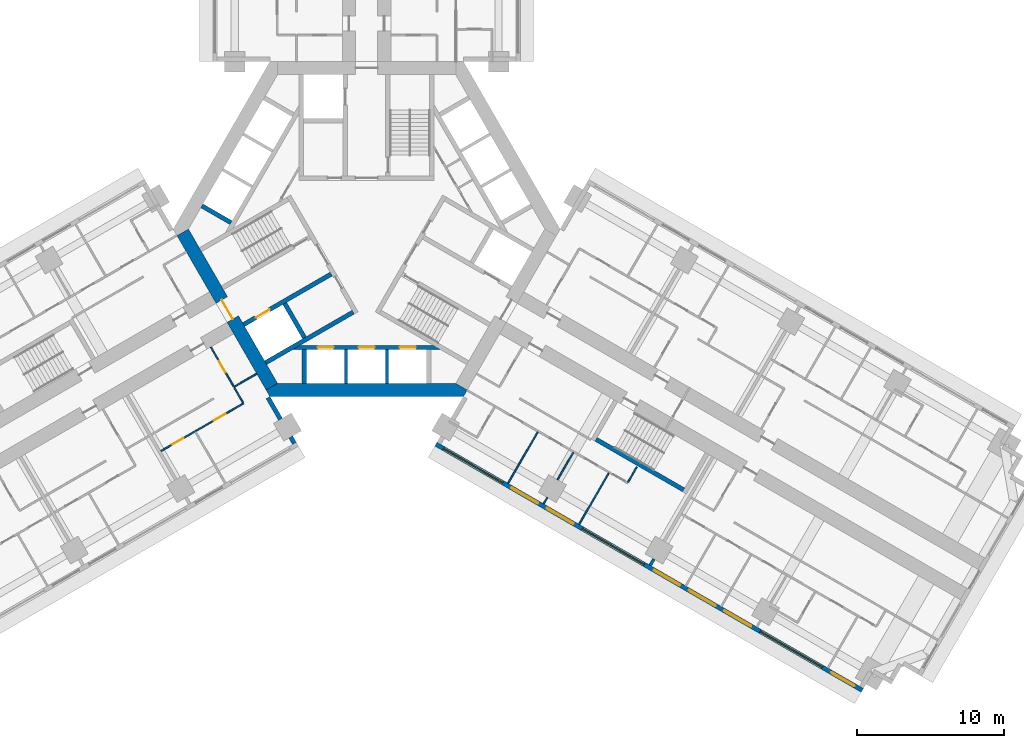
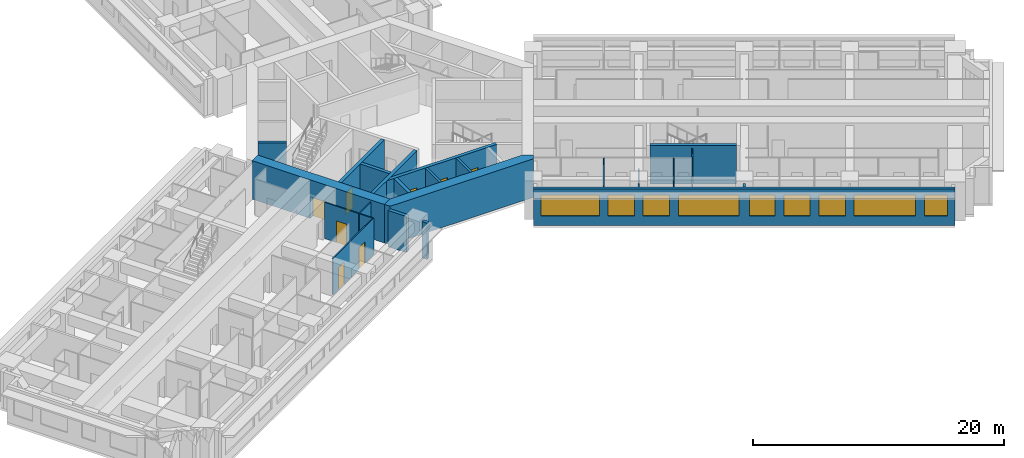
# One storey, part 6 of 15: 24 walls, 9 windows, 8 doors, 17 openings.
"""IFC4 building model written with IfcOpenShell, lengths in metres."""

from ifc_helpers import new_model, si_unit, direction, frame, frame_2d, origin, place, context, subcontext, project, spatial, polyline, rectangle, outline, extrude, material, layer, layer_set, type_object, element, fill, save


model = new_model("IFC4")

# Units and contexts
model_context = context("Model", 3, precision=1e-05, world=origin(), true_north=direction((0.0, 1.0)))
body_context = subcontext(model_context, "Body", "Model", "MODEL_VIEW")
ifc_project = project(units=[si_unit("LENGTHUNIT", "METRE"), si_unit("AREAUNIT", "SQUARE_METRE"), si_unit("VOLUMEUNIT", "CUBIC_METRE"), si_unit("PLANEANGLEUNIT", "RADIAN"), si_unit("MASSUNIT", "GRAM", prefix="KILO")], contexts=[model_context])

# Site, building, storey
site_placement = place(None, origin())
site = spatial("IfcSite", under=ifc_project, at=site_placement, CompositionType="ELEMENT")
building_placement = place(site_placement, origin())
building = spatial("IfcBuilding", under=site, at=building_placement, Name="Impinga Residences", CompositionType="ELEMENT")
storey_placement = place(building_placement, frame((0.0, 0.0, 86.0)))
storey = spatial("IfcBuildingStorey", under=building, at=storey_placement, Name="L21", CompositionType="ELEMENT", Elevation=86.0)

# Wall, openings, windows
ifc_material_1 = material(Name="Terracotta rainscreen on blockwork", Category="masonry")
ifc_layer_1 = layer(ifc_material_1, 0.300048828125)
ifc_layer_set_1 = layer_set([ifc_layer_1], Name="EW1 external wall, terracotta rainscreen on blockwork 300")
wall_type_1 = type_object("IfcWallType", Name="EW1 external wall, terracotta rainscreen on blockwork 300", PredefinedType="SOLIDWALL", material=ifc_layer_set_1)
wall_1_placement = place(storey_placement, frame((33.823486328125, -31.479248046875, 0.0), z_axis=(0.0, 0.0, 1.0), x_axis=(-0.866024291668, 0.500001926238, 0.0)))
wall_1 = element("IfcWall", 1, at=wall_1_placement, inside=storey, type_object=wall_type_1, Name="External wall EW1 L21", PredefinedType="SOLIDWALL", context=body_context, shape_type="SweptSolid", body=[
    extrude(rectangle(XDim=33.599853515625, YDim=0.300048828125, at=frame_2d((16.7998046875, 0.0))), origin(), (0.0, 0.0, 1.0), 3.530029296875),
])
opening_1_placement = place(wall_1_placement, frame((0.60009765625, 0.0, 0.89990234375)))
opening_1 = element("IfcOpeningElement", 2, at=opening_1_placement, cuts=wall_1, Name="Opening W15", PredefinedType="OPENING", context=body_context, shape_type="SweptSolid", body=[
    extrude(rectangle(XDim=1.85009765625, YDim=2.050048828125, at=frame_2d((0.925048828125, 1.02490234375))), frame((0.0, 0.159912109375, 0.0), z_axis=(0.0, -1.0, 0.0), x_axis=(1.0, 0.0, 0.0)), (0.0, 0.0, 1.0), 0.320068359375),
])
opening_2_placement = place(wall_1_placement, frame((3.14990234375, 0.0, 0.89990234375)))
opening_2 = element("IfcOpeningElement", 3, at=opening_2_placement, cuts=wall_1, Name="Opening W16", PredefinedType="OPENING", context=body_context, shape_type="SweptSolid", body=[
    extrude(rectangle(XDim=4.89990234375, YDim=2.050048828125, at=frame_2d((2.449951171875, 1.02490234375))), frame((0.0, 0.159912109375, 0.0), z_axis=(0.0, -1.0, 0.0), x_axis=(1.0, 0.0, 0.0)), (0.0, 0.0, 1.0), 0.320068359375),
])
opening_3_placement = place(wall_1_placement, frame((8.75, 0.0, 0.89990234375)))
opening_3 = element("IfcOpeningElement", 4, at=opening_3_placement, cuts=wall_1, Name="Opening W9", PredefinedType="OPENING", context=body_context, shape_type="SweptSolid", body=[
    extrude(rectangle(XDim=2.10009765625, YDim=2.050048828125, at=frame_2d((1.050048828125, 1.02490234375))), frame((0.0, 0.159912109375, 0.0), z_axis=(0.0, -1.0, 0.0), x_axis=(1.0, 0.0, 0.0)), (0.0, 0.0, 1.0), 0.320068359375),
])
opening_4_placement = place(wall_1_placement, frame((11.550048828125, 0.0, 0.89990234375)))
opening_4 = element("IfcOpeningElement", 5, at=opening_4_placement, cuts=wall_1, Name="Opening W9", PredefinedType="OPENING", context=body_context, shape_type="SweptSolid", body=[
    extrude(rectangle(XDim=2.10009765625, YDim=2.050048828125, at=frame_2d((1.050048828125, 1.02490234375))), frame((0.0, 0.159912109375, 0.0), z_axis=(0.0, -1.0, 0.0), x_axis=(1.0, 0.0, 0.0)), (0.0, 0.0, 1.0), 0.320068359375),
])
opening_5_placement = place(wall_1_placement, frame((14.35009765625, 0.0, 0.89990234375)))
opening_5 = element("IfcOpeningElement", 6, at=opening_5_placement, cuts=wall_1, Name="Opening W14", PredefinedType="OPENING", context=body_context, shape_type="SweptSolid", body=[
    extrude(rectangle(XDim=2.050048828125, YDim=2.050048828125, at=frame_2d((1.02490234375, 1.02490234375))), frame((0.0, 0.159912109375, 0.0), z_axis=(0.0, -1.0, 0.0), x_axis=(1.0, 0.0, 0.0)), (0.0, 0.0, 1.0), 0.320068359375),
])
opening_6_placement = place(wall_1_placement, frame((17.199951171875, 0.0, 0.89990234375)))
opening_6 = element("IfcOpeningElement", 7, at=opening_6_placement, cuts=wall_1, Name="Opening W6", PredefinedType="OPENING", context=body_context, shape_type="SweptSolid", body=[
    extrude(rectangle(XDim=4.85009765625, YDim=2.050048828125, at=frame_2d((2.425048828125, 1.02490234375))), frame((0.0, 0.159912109375, 0.0), z_axis=(0.0, -1.0, 0.0), x_axis=(1.0, 0.0, 0.0)), (0.0, 0.0, 1.0), 0.320068359375),
])
opening_7_placement = place(wall_1_placement, frame((22.75, 0.0, 0.89990234375)))
opening_7 = element("IfcOpeningElement", 8, at=opening_7_placement, cuts=wall_1, Name="Opening W9", PredefinedType="OPENING", context=body_context, shape_type="SweptSolid", body=[
    extrude(rectangle(XDim=2.10009765625, YDim=2.050048828125, at=frame_2d((1.050048828125, 1.02490234375))), frame((0.0, 0.159912109375, 0.0), z_axis=(0.0, -1.0, 0.0), x_axis=(1.0, 0.0, 0.0)), (0.0, 0.0, 1.0), 0.320068359375),
])
opening_8_placement = place(wall_1_placement, frame((25.550048828125, 0.0, 0.89990234375)))
opening_8 = element("IfcOpeningElement", 9, at=opening_8_placement, cuts=wall_1, Name="Opening W9", PredefinedType="OPENING", context=body_context, shape_type="SweptSolid", body=[
    extrude(rectangle(XDim=2.10009765625, YDim=2.050048828125, at=frame_2d((1.050048828125, 1.02490234375))), frame((0.0, 0.159912109375, 0.0), z_axis=(0.0, -1.0, 0.0), x_axis=(1.0, 0.0, 0.0)), (0.0, 0.0, 1.0), 0.320068359375),
])
opening_9_placement = place(wall_1_placement, frame((28.35009765625, 0.0, 0.89990234375)))
opening_9 = element("IfcOpeningElement", 10, at=opening_9_placement, cuts=wall_1, Name="Opening W10", PredefinedType="OPENING", context=body_context, shape_type="SweptSolid", body=[
    extrude(rectangle(XDim=4.64990234375, YDim=2.050048828125, at=frame_2d((2.324951171875, 1.02490234375))), frame((0.0, 0.159912109375, 0.0), z_axis=(0.0, -1.0, 0.0), x_axis=(1.0, 0.0, 0.0)), (0.0, 0.0, 1.0), 0.320068359375),
])
ifc_material_2 = material(Name="Aluminium window, clear double glazing", Category="aluminium")
window_type_1 = type_object("IfcWindowType", Name="W10 ribbon window 4650x2050", PartitioningType="SINGLE_PANEL", PredefinedType="WINDOW", material=ifc_material_2)
window_1_placement = place(opening_9_placement, origin())
window_1 = element("IfcWindow", 11, at=window_1_placement, inside=storey, type_object=window_type_1, Name="Window L21", OverallHeight=2.050048828125, OverallWidth=4.64990234375, PartitioningType="SINGLE_PANEL", PredefinedType="WINDOW", context=body_context, shape_type="SweptSolid", body=[
    extrude(rectangle(XDim=4.64990234375, YDim=2.050048828125, at=frame_2d((2.324951171875, 1.02490234375))), frame((0.0, 0.030029296875, 0.0), z_axis=(0.0, -1.0, 0.0), x_axis=(1.0, 0.0, 0.0)), (0.0, 0.0, 1.0), 0.06005859375),
])
fill(opening_9, window_1)
window_type_2 = type_object("IfcWindowType", Name="W14 ribbon window 2050x2050", PartitioningType="SINGLE_PANEL", PredefinedType="WINDOW", material=ifc_material_2)
window_2_placement = place(opening_5_placement, origin())
window_2 = element("IfcWindow", 12, at=window_2_placement, inside=storey, type_object=window_type_2, Name="Window L21", OverallHeight=2.050048828125, OverallWidth=2.050048828125, PartitioningType="SINGLE_PANEL", PredefinedType="WINDOW", context=body_context, shape_type="SweptSolid", body=[
    extrude(rectangle(XDim=2.050048828125, YDim=2.050048828125, at=frame_2d((1.02490234375, 1.02490234375))), frame((0.0, 0.030029296875, 0.0), z_axis=(0.0, -1.0, 0.0), x_axis=(1.0, 0.0, 0.0)), (0.0, 0.0, 1.0), 0.06005859375),
])
fill(opening_5, window_2)
window_type_3 = type_object("IfcWindowType", Name="W15 ribbon window 1850x2050", PartitioningType="SINGLE_PANEL", PredefinedType="WINDOW", material=ifc_material_2)
window_3_placement = place(opening_1_placement, origin())
window_3 = element("IfcWindow", 13, at=window_3_placement, inside=storey, type_object=window_type_3, Name="Window L21", OverallHeight=2.050048828125, OverallWidth=1.85009765625, PartitioningType="SINGLE_PANEL", PredefinedType="WINDOW", context=body_context, shape_type="SweptSolid", body=[
    extrude(rectangle(XDim=1.85009765625, YDim=2.050048828125, at=frame_2d((0.925048828125, 1.02490234375))), frame((0.0, 0.030029296875, 0.0), z_axis=(0.0, -1.0, 0.0), x_axis=(1.0, 0.0, 0.0)), (0.0, 0.0, 1.0), 0.06005859375),
])
fill(opening_1, window_3)
window_type_4 = type_object("IfcWindowType", Name="W16 ribbon window 4900x2050", PartitioningType="SINGLE_PANEL", PredefinedType="WINDOW", material=ifc_material_2)
window_4_placement = place(opening_2_placement, origin())
window_4 = element("IfcWindow", 14, at=window_4_placement, inside=storey, type_object=window_type_4, Name="Window L21", OverallHeight=2.050048828125, OverallWidth=4.89990234375, PartitioningType="SINGLE_PANEL", PredefinedType="WINDOW", context=body_context, shape_type="SweptSolid", body=[
    extrude(rectangle(XDim=4.89990234375, YDim=2.050048828125, at=frame_2d((2.449951171875, 1.02490234375))), frame((0.0, 0.030029296875, 0.0), z_axis=(0.0, -1.0, 0.0), x_axis=(1.0, 0.0, 0.0)), (0.0, 0.0, 1.0), 0.06005859375),
])
fill(opening_2, window_4)
window_type_5 = type_object("IfcWindowType", Name="W6 ribbon window 4850x2050", PartitioningType="SINGLE_PANEL", PredefinedType="WINDOW", material=ifc_material_2)
window_5_placement = place(opening_6_placement, origin())
window_5 = element("IfcWindow", 15, at=window_5_placement, inside=storey, type_object=window_type_5, Name="Window L21", OverallHeight=2.050048828125, OverallWidth=4.85009765625, PartitioningType="SINGLE_PANEL", PredefinedType="WINDOW", context=body_context, shape_type="SweptSolid", body=[
    extrude(rectangle(XDim=4.85009765625, YDim=2.050048828125, at=frame_2d((2.425048828125, 1.02490234375))), frame((0.0, 0.030029296875, 0.0), z_axis=(0.0, -1.0, 0.0), x_axis=(1.0, 0.0, 0.0)), (0.0, 0.0, 1.0), 0.06005859375),
])
fill(opening_6, window_5)
window_type_6 = type_object("IfcWindowType", Name="W9 ribbon window 2100x2050", PartitioningType="SINGLE_PANEL", PredefinedType="WINDOW", material=ifc_material_2)
window_6_placement = place(opening_3_placement, origin())
window_6 = element("IfcWindow", 16, at=window_6_placement, inside=storey, type_object=window_type_6, Name="Window L21", OverallHeight=2.050048828125, OverallWidth=2.10009765625, PartitioningType="SINGLE_PANEL", PredefinedType="WINDOW", context=body_context, shape_type="SweptSolid", body=[
    extrude(rectangle(XDim=2.10009765625, YDim=2.050048828125, at=frame_2d((1.050048828125, 1.02490234375))), frame((0.0, 0.030029296875, 0.0), z_axis=(0.0, -1.0, 0.0), x_axis=(1.0, 0.0, 0.0)), (0.0, 0.0, 1.0), 0.06005859375),
])
fill(opening_3, window_6)
window_7_placement = place(opening_4_placement, origin())
window_7 = element("IfcWindow", 17, at=window_7_placement, inside=storey, type_object=window_type_6, Name="Window L21", OverallHeight=2.050048828125, OverallWidth=2.10009765625, PartitioningType="SINGLE_PANEL", PredefinedType="WINDOW", context=body_context, shape_type="SweptSolid", body=[
    extrude(rectangle(XDim=2.10009765625, YDim=2.050048828125, at=frame_2d((1.050048828125, 1.02490234375))), frame((0.0, 0.030029296875, 0.0), z_axis=(0.0, -1.0, 0.0), x_axis=(1.0, 0.0, 0.0)), (0.0, 0.0, 1.0), 0.06005859375),
])
fill(opening_4, window_7)
window_8_placement = place(opening_7_placement, origin())
window_8 = element("IfcWindow", 18, at=window_8_placement, inside=storey, type_object=window_type_6, Name="Window L21", OverallHeight=2.050048828125, OverallWidth=2.10009765625, PartitioningType="SINGLE_PANEL", PredefinedType="WINDOW", context=body_context, shape_type="SweptSolid", body=[
    extrude(rectangle(XDim=2.10009765625, YDim=2.050048828125, at=frame_2d((1.050048828125, 1.02490234375))), frame((0.0, 0.030029296875, 0.0), z_axis=(0.0, -1.0, 0.0), x_axis=(1.0, 0.0, 0.0)), (0.0, 0.0, 1.0), 0.06005859375),
])
fill(opening_7, window_8)
window_9_placement = place(opening_8_placement, origin())
window_9 = element("IfcWindow", 19, at=window_9_placement, inside=storey, type_object=window_type_6, Name="Window L21", OverallHeight=2.050048828125, OverallWidth=2.10009765625, PartitioningType="SINGLE_PANEL", PredefinedType="WINDOW", context=body_context, shape_type="SweptSolid", body=[
    extrude(rectangle(XDim=2.10009765625, YDim=2.050048828125, at=frame_2d((1.050048828125, 1.02490234375))), frame((0.0, 0.030029296875, 0.0), z_axis=(0.0, -1.0, 0.0), x_axis=(1.0, 0.0, 0.0)), (0.0, 0.0, 1.0), 0.06005859375),
])
fill(opening_8, window_9)

# Walls
wall_2_placement = place(storey_placement, frame((-6.72998046875, -11.506591796875, 0.0), z_axis=(0.0, 0.0, 1.0), x_axis=(0.500062241894, -0.865989465428, 0.0)))
element("IfcWall", 20, at=wall_2_placement, inside=storey, type_object=wall_type_1, Name="External wall EW1 L21", PredefinedType="SOLIDWALL", context=body_context, shape_type="SweptSolid", body=[
    extrude(rectangle(XDim=1.699951171875, YDim=0.300048828125, at=frame_2d((0.85009765625, 0.0))), origin(), (0.0, 0.0, 1.0), 3.530029296875),
])
wall_3_placement = place(storey_placement, frame((-5.179931640625, -14.191162109375, 0.0), z_axis=(0.0, 0.0, 1.0), x_axis=(0.499919672301, -0.866071776036, 0.0)))
element("IfcWall", 21, at=wall_3_placement, inside=storey, type_object=wall_type_1, Name="External wall EW1 L21", PredefinedType="SOLIDWALL", context=body_context, shape_type="SweptSolid", body=[
    extrude(rectangle(XDim=0.5, YDim=0.300048828125, at=frame_2d((0.25, 0.0))), origin(), (0.0, 0.0, 1.0), 3.530029296875),
])
ifc_material_3 = material(Name="Gypsum board on steel studs", Category="steel")
ifc_layer_2 = layer(ifc_material_3, 0.10009765625)
ifc_layer_set_2 = layer_set([ifc_layer_2], Name="Gypsum board on steel studs")
wall_type_2 = type_object("IfcWallType", Name="IP1 partition 100", PredefinedType="PARTITIONING", material=ifc_layer_set_2)
wall_4_placement = place(storey_placement, frame((-7.5, -9.872802734375, 0.0), z_axis=(0.0, 0.0, 1.0), x_axis=(-0.866047807691, -0.499961193289, 0.0)))
element("IfcWall", 22, at=wall_4_placement, inside=storey, type_object=wall_type_2, Name="Partition L21-WA1:DIV0", PredefinedType="PARTITIONING", context=body_context, shape_type="SweptSolid", body=[
    extrude(rectangle(XDim=1.800048828125, YDim=0.10009765625, at=frame_2d((0.89990234375, 0.0))), origin(), (0.0, 0.0, 1.0), 3.530029296875),
])

# Wall, openings, doors
wall_5_placement = place(storey_placement, frame((-8.408935546875, -11.8984375, 0.0), z_axis=(0.0, 0.0, 1.0), x_axis=(-0.866024837091, -0.50000098154, 0.0)))
wall_5 = element("IfcWall", 23, at=wall_5_placement, inside=storey, type_object=wall_type_2, Name="Partition L21-WA1:STRIP", PredefinedType="PARTITIONING", context=body_context, shape_type="SweptSolid", body=[
    extrude(rectangle(XDim=6.5, YDim=0.10009765625, at=frame_2d((3.25, 0.0))), origin(), (0.0, 0.0, 1.0), 3.530029296875),
])
opening_10_placement = place(wall_5_placement, frame((1.425048828125, 0.0, 0.0)))
opening_10 = element("IfcOpeningElement", 24, at=opening_10_placement, cuts=wall_5, Name="Opening D2", PredefinedType="OPENING", context=body_context, shape_type="SweptSolid", body=[
    extrude(rectangle(XDim=0.89990234375, YDim=2.10009765625, at=frame_2d((0.449951171875, 1.050048828125))), frame((0.0, 0.06005859375, 0.0), z_axis=(0.0, -1.0, 0.0), x_axis=(1.0, 0.0, 0.0)), (0.0, 0.0, 1.0), 0.1201171875),
])
opening_11_placement = place(wall_5_placement, frame((4.72509765625, 0.0, 0.0)))
opening_11 = element("IfcOpeningElement", 25, at=opening_11_placement, cuts=wall_5, Name="Opening D2", PredefinedType="OPENING", context=body_context, shape_type="SweptSolid", body=[
    extrude(rectangle(XDim=0.89990234375, YDim=2.10009765625, at=frame_2d((0.449951171875, 1.050048828125))), frame((0.0, 0.06005859375, 0.0), z_axis=(0.0, -1.0, 0.0), x_axis=(1.0, 0.0, 0.0)), (0.0, 0.0, 1.0), 0.1201171875),
])
ifc_material_4 = material(Name="Timber door set", Category="wood")
door_type_1 = type_object("IfcDoorType", Name="D2 internal door 900x2100", OperationType="SINGLE_SWING_LEFT", PredefinedType="DOOR", material=ifc_material_4)
door_1_placement = place(opening_10_placement, origin())
door_1 = element("IfcDoor", 26, at=door_1_placement, inside=storey, type_object=door_type_1, Name="Apartment L21-WA1 room door", OperationType="SINGLE_SWING_LEFT", OverallHeight=2.10009765625, OverallWidth=0.89990234375, PredefinedType="DOOR", context=body_context, shape_type="SweptSolid", body=[
    extrude(rectangle(XDim=0.89990234375, YDim=2.10009765625, at=frame_2d((0.449951171875, 1.050048828125))), frame((0.0, 0.02490234375, 0.0), z_axis=(0.0, -1.0, 0.0), x_axis=(1.0, 0.0, 0.0)), (0.0, 0.0, 1.0), 0.050048828125),
])
fill(opening_10, door_1)
door_2_placement = place(opening_11_placement, origin())
door_2 = element("IfcDoor", 27, at=door_2_placement, inside=storey, type_object=door_type_1, Name="Apartment L21-WA1 room door", OperationType="SINGLE_SWING_RIGHT", OverallHeight=2.10009765625, OverallWidth=0.89990234375, PredefinedType="DOOR", context=body_context, shape_type="SweptSolid", body=[
    extrude(rectangle(XDim=0.89990234375, YDim=2.10009765625, at=frame_2d((0.449951171875, 1.050048828125))), frame((0.0, 0.02490234375, 0.0), z_axis=(0.0, -1.0, 0.0), x_axis=(1.0, 0.0, 0.0)), (0.0, 0.0, 1.0), 0.050048828125),
])
fill(opening_11, door_2)

# Wall
wall_6_placement = place(storey_placement, frame((-9.033935546875, -10.81591796875, 0.0), z_axis=(0.0, 0.0, 1.0), x_axis=(0.500033551112, -0.866006032174, 0.0)))
element("IfcWall", 28, at=wall_6_placement, inside=storey, type_object=wall_type_2, Name="Partition L21-WA1:SE0", PredefinedType="PARTITIONING", context=body_context, shape_type="SweptSolid", body=[
    extrude(rectangle(XDim=1.2001953125, YDim=0.10009765625, at=frame_2d((0.60009765625, 0.0))), origin(), (0.0, 0.0, 1.0), 3.530029296875),
])

# Wall, opening, door
wall_7_placement = place(storey_placement, frame((-10.6337890625, -8.044677734375, 0.0), z_axis=(0.0, 0.0, 1.0), x_axis=(0.49999285859, -0.86602952684, 0.0)))
wall_7 = element("IfcWall", 29, at=wall_7_placement, inside=storey, type_object=wall_type_2, Name="Partition L21-WA1:IB1", PredefinedType="PARTITIONING", context=body_context, shape_type="SweptSolid", body=[
    extrude(rectangle(XDim=3.10009765625, YDim=0.10009765625, at=frame_2d((1.550048828125, 0.0))), origin(), (0.0, 0.0, 1.0), 3.530029296875),
])
opening_12_placement = place(wall_7_placement, frame((1.10009765625, 0.0, 0.0)))
opening_12 = element("IfcOpeningElement", 30, at=opening_12_placement, cuts=wall_7, Name="Opening D2", PredefinedType="OPENING", context=body_context, shape_type="SweptSolid", body=[
    extrude(rectangle(XDim=0.89990234375, YDim=2.10009765625, at=frame_2d((0.449951171875, 1.050048828125))), frame((0.0, 0.06005859375, 0.0), z_axis=(0.0, -1.0, 0.0), x_axis=(1.0, 0.0, 0.0)), (0.0, 0.0, 1.0), 0.1201171875),
])
door_3_placement = place(opening_12_placement, origin())
door_3 = element("IfcDoor", 31, at=door_3_placement, inside=storey, type_object=door_type_1, Name="Apartment L21-WA1 bathroom door", OperationType="SINGLE_SWING_LEFT", OverallHeight=2.10009765625, OverallWidth=0.89990234375, PredefinedType="DOOR", context=body_context, shape_type="SweptSolid", body=[
    extrude(rectangle(XDim=0.89990234375, YDim=2.10009765625, at=frame_2d((0.449951171875, 1.050048828125))), frame((0.0, 0.02490234375, 0.0), z_axis=(0.0, -1.0, 0.0), x_axis=(1.0, 0.0, 0.0)), (0.0, 0.0, 1.0), 0.050048828125),
])
fill(opening_12, door_3)

# Walls
wall_8_placement = place(storey_placement, frame((18.43017578125, -16.240966796875, 0.0), z_axis=(0.0, 0.0, 1.0), x_axis=(-0.499880961361, -0.866094119867, 0.0)))
element("IfcWall", 32, at=wall_8_placement, inside=storey, type_object=wall_type_2, Name="Partition L21-EF1:SE1", PredefinedType="PARTITIONING", context=body_context, shape_type="SweptSolid", body=[
    extrude(rectangle(XDim=1.199951171875, YDim=0.10009765625, at=frame_2d((0.60009765625, 0.0))), origin(), (0.0, 0.0, 1.0), 3.530029296875),
])
wall_9_placement = place(storey_placement, frame((11.6748046875, -13.841796875, 0.0), z_axis=(0.0, 0.0, 1.0), x_axis=(-0.500035537042, -0.866004885491, 0.0)))
element("IfcWall", 33, at=wall_9_placement, inside=storey, type_object=wall_type_2, Name="Partition L21-EF1:OB1", PredefinedType="PARTITIONING", context=body_context, shape_type="SweptSolid", body=[
    extrude(rectangle(XDim=4.050048828125, YDim=0.10009765625, at=frame_2d((2.02490234375, 0.0))), origin(), (0.0, 0.0, 1.0), 3.530029296875),
])
wall_10_placement = place(storey_placement, frame((14.099609375, -15.241943359375, 0.0), z_axis=(0.0, 0.0, 1.0), x_axis=(-0.500010803666, -0.866019166195, 0.0)))
element("IfcWall", 34, at=wall_10_placement, inside=storey, type_object=wall_type_2, Name="Partition L21-EF1:OB2", PredefinedType="PARTITIONING", context=body_context, shape_type="SweptSolid", body=[
    extrude(rectangle(XDim=2.14990234375, YDim=0.10009765625, at=frame_2d((1.074951171875, 0.0))), origin(), (0.0, 0.0, 1.0), 2.47998046875),
])
wall_11_placement = place(storey_placement, frame((12.32470703125, -18.316162109375, 0.0), z_axis=(0.0, 0.0, 1.0), x_axis=(-0.499919672301, -0.866071776036, 0.0)))
element("IfcWall", 35, at=wall_11_placement, inside=storey, type_object=wall_type_2, Name="Partition L21-EF1:OB2b", PredefinedType="PARTITIONING", context=body_context, shape_type="SweptSolid", body=[
    extrude(rectangle(XDim=0.5, YDim=0.10009765625, at=frame_2d((0.25, 0.0))), origin(), (0.0, 0.0, 1.0), 3.530029296875),
])
wall_12_placement = place(storey_placement, frame((16.5244140625, -16.641845703125, 0.0), z_axis=(0.0, 0.0, 1.0), x_axis=(-0.499990325971, -0.866030989016, 0.0)))
element("IfcWall", 36, at=wall_12_placement, inside=storey, type_object=wall_type_2, Name="Partition L21-EF1:OB3", PredefinedType="PARTITIONING", context=body_context, shape_type="SweptSolid", body=[
    extrude(rectangle(XDim=4.0498046875, YDim=0.10009765625, at=frame_2d((2.02490234375, 0.0))), origin(), (0.0, 0.0, 1.0), 3.530029296875),
])
ifc_material_5 = material(Name="Concrete blockwork", Category="masonry")
ifc_layer_3 = layer(ifc_material_5, 0.199951171875)
ifc_layer_set_3 = layer_set([ifc_layer_3], Name="PW1 party wall between apartments 200")
wall_type_3 = type_object("IfcWallType", Name="PW1 party wall between apartments 200", PredefinedType="SOLIDWALL", material=ifc_layer_set_3)
wall_13_placement = place(storey_placement, frame((19.59912109375, -22.51611328125, 0.0), z_axis=(0.0, 0.0, 1.0), x_axis=(-0.499919672301, -0.866071776036, 0.0)))
element("IfcWall", 37, at=wall_13_placement, inside=storey, type_object=wall_type_3, Name="Party wall between apartments L21-EF1:PARTYb", PredefinedType="SOLIDWALL", context=body_context, shape_type="SweptSolid", body=[
    extrude(rectangle(XDim=0.5, YDim=0.199951171875, at=frame_2d((0.25, 0.0))), origin(), (0.0, 0.0, 1.0), 3.530029296875),
])
ifc_material_6 = material(Name="Concrete C60/75", Category="concrete")
ifc_layer_4 = layer(ifc_material_6, 0.300048828125)
ifc_layer_set_4 = layer_set([ifc_layer_4], Name="Concrete C60/75")
wall_type_4 = type_object("IfcWallType", Name="SE1 wing stair enclosure wall 300", PredefinedType="SOLIDWALL", material=ifc_layer_set_4)
wall_14_placement = place(storey_placement, frame((15.654052734375, -14.349365234375, 0.0), z_axis=(0.0, 0.0, 1.0), x_axis=(0.866013532718, -0.500020560727, 0.0)))
element("IfcWall", 38, at=wall_14_placement, inside=storey, type_object=wall_type_4, Name="Stair enclosure wall SE1 E OUT L21", PredefinedType="SOLIDWALL", context=body_context, shape_type="SweptSolid", body=[
    extrude(rectangle(XDim=6.900146484375, YDim=0.300048828125, at=frame_2d((3.4501953125, 0.0))), origin(), (0.0, 0.0, 1.0), 3.75),
])

# Wall, opening, door
ifc_material_7 = material(Name="Concrete C70/85", Category="concrete")
ifc_layer_5 = layer(ifc_material_7, 0.89990234375)
ifc_layer_set_5 = layer_set([ifc_layer_5], Name="Concrete C70/85")
wall_type_5 = type_object("IfcWallType", Name="SW1 core wall 900", PredefinedType="SHEAR", material=ifc_layer_set_5)
wall_15_placement = place(storey_placement, frame((-6.47021484375, -10.756591796875, 0.0), z_axis=(0.0, 0.0, 1.0), x_axis=(-0.499997612506, 0.8660267822, 0.0)))
wall_15 = element("IfcWall", 39, at=wall_15_placement, inside=storey, type_object=wall_type_5, Name="Core wall SW1 W:FACE L21", PredefinedType="SHEAR", context=body_context, shape_type="SweptSolid", body=[
    extrude(rectangle(XDim=12.16064453125, YDim=0.89990234375, at=frame_2d((6.080322265625, 0.0))), origin(), (0.0, 0.0, 1.0), 3.75),
])
opening_13_placement = place(wall_15_placement, frame((5.330322265625, 0.0, 0.0)))
opening_13 = element("IfcOpeningElement", 40, at=opening_13_placement, cuts=wall_15, Name="Opening D4", PredefinedType="OPENING", context=body_context, shape_type="SweptSolid", body=[
    extrude(rectangle(XDim=1.5, YDim=2.10009765625, at=frame_2d((0.75, 1.050048828125))), frame((0.0, 0.4599609375, 0.0), z_axis=(0.0, -1.0, 0.0), x_axis=(1.0, 0.0, 0.0)), (0.0, 0.0, 1.0), 0.919921875),
])
door_type_2 = type_object("IfcDoorType", Name="D4 lobby door pair 1500x2100", OperationType="DOUBLE_DOOR_DOUBLE_SWING", PredefinedType="DOOR", material=ifc_material_4)
door_4_placement = place(opening_13_placement, origin())
door_4 = element("IfcDoor", 41, at=door_4_placement, inside=storey, type_object=door_type_2, Name="Lobby door W", OperationType="DOUBLE_DOOR_DOUBLE_SWING", OverallHeight=2.10009765625, OverallWidth=1.5, PredefinedType="DOOR", context=body_context, shape_type="SweptSolid", body=[
    extrude(rectangle(XDim=1.5, YDim=2.10009765625, at=frame_2d((0.75, 1.050048828125))), frame((0.0, 0.02490234375, 0.0), z_axis=(0.0, -1.0, 0.0), x_axis=(1.0, 0.0, 0.0)), (0.0, 0.0, 1.0), 0.050048828125),
])
fill(opening_13, door_4)

# Wall
wall_16_placement = place(storey_placement, origin())
element("IfcWall", 42, at=wall_16_placement, inside=storey, type_object=wall_type_5, Name="Core wall SW1 N:EXPOSED L21", PredefinedType="SHEAR", context=body_context, shape_type="SweptSolid", body=[
    extrude(outline(polyline([(-6.60009765625, -11.431640625), (6.60009765625, -11.431640625), (6.85986328125, -10.9814453125), (6.080322265625, -10.531494140625), (-6.080322265625, -10.531494140625), (-6.85986328125, -10.9814453125), (-6.60009765625, -11.431640625)])), origin(), (0.0, 0.0, 1.0), 3.75),
])

# Wall, opening, door
ifc_layer_6 = layer(ifc_material_7, 0.300048828125)
ifc_layer_set_6 = layer_set([ifc_layer_6], Name="Concrete C70/85")
wall_type_6 = type_object("IfcWallType", Name="SW5 core inner wall, stairs, shafts and lobbies 300", PredefinedType="SHEAR", material=ifc_layer_set_6)
wall_17_placement = place(storey_placement, frame((-2.418701171875, -3.07080078125, 0.0), z_axis=(0.0, 0.0, 1.0), x_axis=(-0.86602711848, -0.499997030048, 0.0)))
wall_17 = element("IfcWall", 43, at=wall_17_placement, inside=storey, type_object=wall_type_6, Name="Core wall SW5 W:FF-IN L21", PredefinedType="SHEAR", context=body_context, shape_type="SweptSolid", body=[
    extrude(rectangle(XDim=6.9013671875, YDim=0.300048828125, at=frame_2d((3.45068359375, 0.0))), origin(), (0.0, 0.0, 1.0), 3.75),
])
opening_14_placement = place(wall_17_placement, frame((4.85009765625, 0.0, 0.0)))
opening_14 = element("IfcOpeningElement", 44, at=opening_14_placement, cuts=wall_17, Name="Opening LD2", PredefinedType="OPENING", context=body_context, shape_type="SweptSolid", body=[
    extrude(rectangle(XDim=1.10009765625, YDim=2.10009765625, at=frame_2d((0.550048828125, 1.050048828125))), frame((0.0, 0.159912109375, 0.0), z_axis=(0.0, -1.0, 0.0), x_axis=(1.0, 0.0, 0.0)), (0.0, 0.0, 1.0), 0.320068359375),
])
ifc_material_8 = material(Name="Steel lift landing door", Category="steel")
door_type_3 = type_object("IfcDoorType", Name="LD2 firefighting lift landing door 1100x2100", OperationType="DOUBLE_DOOR_SLIDING", PredefinedType="DOOR", material=ifc_material_8)
door_5_placement = place(opening_14_placement, origin())
door_5 = element("IfcDoor", 45, at=door_5_placement, inside=storey, type_object=door_type_3, Name="Firefighting lift landing door F2", OperationType="DOUBLE_DOOR_SLIDING", OverallHeight=2.10009765625, OverallWidth=1.10009765625, PredefinedType="DOOR", context=body_context, shape_type="SweptSolid", body=[
    extrude(rectangle(XDim=1.10009765625, YDim=2.10009765625, at=frame_2d((0.550048828125, 1.050048828125))), frame((0.0, 0.02490234375, 0.0), z_axis=(0.0, -1.0, 0.0), x_axis=(1.0, 0.0, 0.0)), (0.0, 0.0, 1.0), 0.050048828125),
])
fill(opening_14, door_5)

# Walls
wall_18_placement = place(storey_placement, frame((-0.918701171875, -5.668701171875, 0.0), z_axis=(0.0, 0.0, 1.0), x_axis=(-0.866011800373, -0.500023561059, 0.0)))
element("IfcWall", 46, at=wall_18_placement, inside=storey, type_object=wall_type_6, Name="Core wall SW5 W:FF-OUT L21", PredefinedType="SHEAR", context=body_context, shape_type="SweptSolid", body=[
    extrude(rectangle(XDim=6.901611328125, YDim=0.300048828125, at=frame_2d((3.45068359375, 0.0))), origin(), (0.0, 0.0, 1.0), 3.75),
])
wall_19_placement = place(storey_placement, frame((-4.2412109375, -7.413818359375, 0.0), z_axis=(0.0, 0.0, 1.0), x_axis=(-0.500048589285, 0.86599734893, 0.0)))
element("IfcWall", 47, at=wall_19_placement, inside=storey, type_object=wall_type_6, Name="Core wall SW5 W:FF-RS L21", PredefinedType="SHEAR", context=body_context, shape_type="SweptSolid", body=[
    extrude(rectangle(XDim=2.699951171875, YDim=0.300048828125, at=frame_2d((1.35009765625, 0.0))), origin(), (0.0, 0.0, 1.0), 3.75),
])

# Wall, openings, doors
wall_20_placement = place(storey_placement, frame((5.09765625, -8.08154296875, 0.0), z_axis=(0.0, 0.0, 1.0), x_axis=(-1.0, 0.0, 0.0)))
wall_20 = element("IfcWall", 48, at=wall_20_placement, inside=storey, type_object=wall_type_6, Name="Core wall SW5 N:BANK-FRONT L21", PredefinedType="SHEAR", context=body_context, shape_type="SweptSolid", body=[
    extrude(rectangle(XDim=10.1953125, YDim=0.300048828125, at=frame_2d((5.09765625, 0.0))), origin(), (0.0, 0.0, 1.0), 3.75),
])
opening_15_placement = place(wall_20_placement, frame((1.74755859375, 0.0, 0.0)))
opening_15 = element("IfcOpeningElement", 49, at=opening_15_placement, cuts=wall_20, Name="Opening LD1", PredefinedType="OPENING", context=body_context, shape_type="SweptSolid", body=[
    extrude(rectangle(XDim=1.10009765625, YDim=2.10009765625, at=frame_2d((0.550048828125, 1.050048828125))), frame((0.0, 0.159912109375, 0.0), z_axis=(0.0, -1.0, 0.0), x_axis=(1.0, 0.0, 0.0)), (0.0, 0.0, 1.0), 0.320068359375),
])
opening_16_placement = place(wall_20_placement, frame((4.547607421875, 0.0, 0.0)))
opening_16 = element("IfcOpeningElement", 50, at=opening_16_placement, cuts=wall_20, Name="Opening LD1", PredefinedType="OPENING", context=body_context, shape_type="SweptSolid", body=[
    extrude(rectangle(XDim=1.10009765625, YDim=2.10009765625, at=frame_2d((0.550048828125, 1.050048828125))), frame((0.0, 0.159912109375, 0.0), z_axis=(0.0, -1.0, 0.0), x_axis=(1.0, 0.0, 0.0)), (0.0, 0.0, 1.0), 0.320068359375),
])
opening_17_placement = place(wall_20_placement, frame((7.34765625, 0.0, 0.0)))
opening_17 = element("IfcOpeningElement", 51, at=opening_17_placement, cuts=wall_20, Name="Opening LD1", PredefinedType="OPENING", context=body_context, shape_type="SweptSolid", body=[
    extrude(rectangle(XDim=1.10009765625, YDim=2.10009765625, at=frame_2d((0.550048828125, 1.050048828125))), frame((0.0, 0.159912109375, 0.0), z_axis=(0.0, -1.0, 0.0), x_axis=(1.0, 0.0, 0.0)), (0.0, 0.0, 1.0), 0.320068359375),
])
door_type_4 = type_object("IfcDoorType", Name="LD1 passenger lift landing door 1100x2100", OperationType="DOUBLE_DOOR_SLIDING", PredefinedType="DOOR", material=ifc_material_8)
door_6_placement = place(opening_15_placement, origin())
door_6 = element("IfcDoor", 52, at=door_6_placement, inside=storey, type_object=door_type_4, Name="Lift landing door P1", OperationType="DOUBLE_DOOR_SLIDING", OverallHeight=2.10009765625, OverallWidth=1.10009765625, PredefinedType="DOOR", context=body_context, shape_type="SweptSolid", body=[
    extrude(rectangle(XDim=1.10009765625, YDim=2.10009765625, at=frame_2d((0.550048828125, 1.050048828125))), frame((0.0, 0.02490234375, 0.0), z_axis=(0.0, -1.0, 0.0), x_axis=(1.0, 0.0, 0.0)), (0.0, 0.0, 1.0), 0.050048828125),
])
fill(opening_15, door_6)
door_7_placement = place(opening_16_placement, origin())
door_7 = element("IfcDoor", 53, at=door_7_placement, inside=storey, type_object=door_type_4, Name="Lift landing door P2", OperationType="DOUBLE_DOOR_SLIDING", OverallHeight=2.10009765625, OverallWidth=1.10009765625, PredefinedType="DOOR", context=body_context, shape_type="SweptSolid", body=[
    extrude(rectangle(XDim=1.10009765625, YDim=2.10009765625, at=frame_2d((0.550048828125, 1.050048828125))), frame((0.0, 0.02490234375, 0.0), z_axis=(0.0, -1.0, 0.0), x_axis=(1.0, 0.0, 0.0)), (0.0, 0.0, 1.0), 0.050048828125),
])
fill(opening_16, door_7)
door_8_placement = place(opening_17_placement, origin())
door_8 = element("IfcDoor", 54, at=door_8_placement, inside=storey, type_object=door_type_4, Name="Lift landing door P3", OperationType="DOUBLE_DOOR_SLIDING", OverallHeight=2.10009765625, OverallWidth=1.10009765625, PredefinedType="DOOR", context=body_context, shape_type="SweptSolid", body=[
    extrude(rectangle(XDim=1.10009765625, YDim=2.10009765625, at=frame_2d((0.550048828125, 1.050048828125))), frame((0.0, 0.02490234375, 0.0), z_axis=(0.0, -1.0, 0.0), x_axis=(1.0, 0.0, 0.0)), (0.0, 0.0, 1.0), 0.050048828125),
])
fill(opening_17, door_8)

# Walls
for number, where, z_axis, x_axis, name in (
    (55, (-4.25, -8.2314453125, 0.0), (0.0, 0.0, 1.0), (0.0, -1.0, 0.0), "Core wall SW5 N:BANK-R L21"),
    (56, (-9.253662109375, 0.43505859375, 0.0), (0.0, 0.0, 1.0), (-0.866007057882, 0.500031774688, 0.0), "Core wall SW5 E:BANK-L L21"),
):
    element("IfcWall", number, at=place(storey_placement, frame(where, z_axis=z_axis, x_axis=x_axis)), inside=storey, type_object=wall_type_6, Name=name, PredefinedType="SHEAR", context=body_context, shape_type="SweptSolid", body=[
        extrude(rectangle(XDim=2.300048828125, YDim=0.300048828125, at=frame_2d((1.14990234375, 0.0))), origin(), (0.0, 0.0, 1.0), 3.75),
    ])
ifc_layer_7 = layer(ifc_material_7, 0.199951171875)
ifc_layer_set_7 = layer_set([ifc_layer_7], Name="Concrete C70/85")
wall_type_7 = type_object("IfcWallType", Name="SW6 lift shaft divider wall 200", PredefinedType="SHEAR", material=ifc_layer_set_7)
for number, where, z_axis, x_axis, name in (
    (57, (1.39990234375, -8.2314453125, 0.0), (0.0, 0.0, 1.0), (0.0, -1.0, 0.0), "Core wall SW6 N:BANK-D1 L21"),
    (58, (-1.39990234375, -8.2314453125, 0.0), (0.0, 0.0, 1.0), (0.0, -1.0, 0.0), "Core wall SW6 N:BANK-D2 L21"),
):
    element("IfcWall", number, at=place(storey_placement, frame(where, z_axis=z_axis, x_axis=x_axis)), inside=storey, type_object=wall_type_7, Name=name, PredefinedType="SHEAR", context=body_context, shape_type="SweptSolid", body=[
        extrude(rectangle(XDim=2.300048828125, YDim=0.199951171875, at=frame_2d((1.14990234375, 0.0))), origin(), (0.0, 0.0, 1.0), 3.75),
    ])

save(model, "model.ifc")
